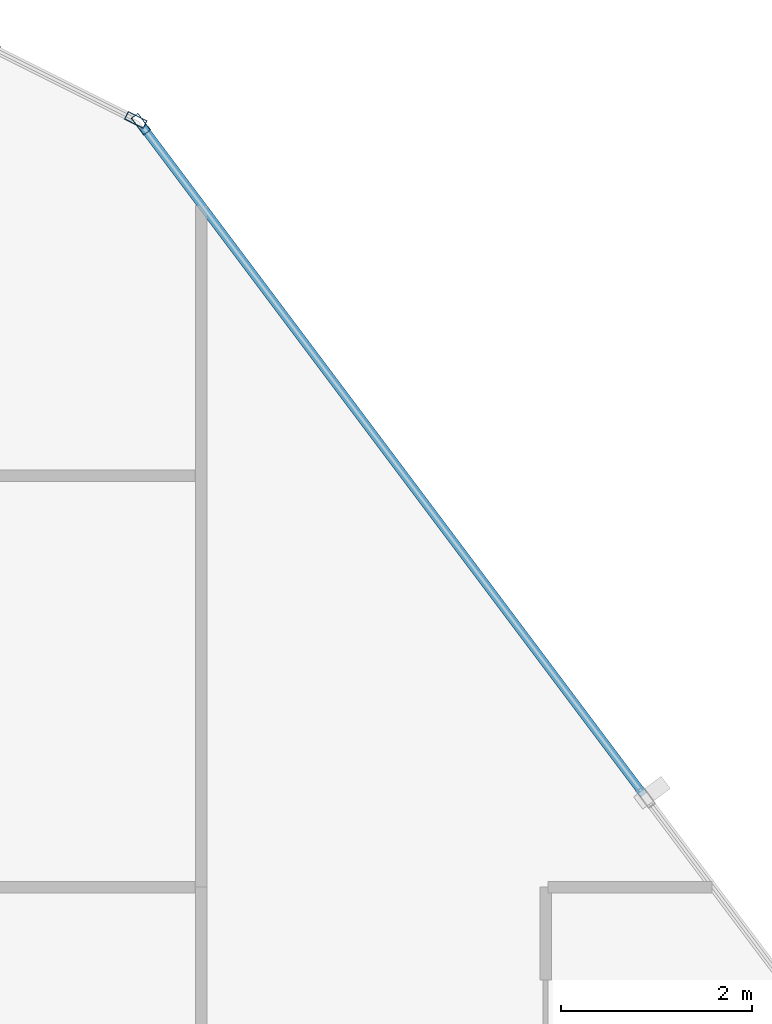
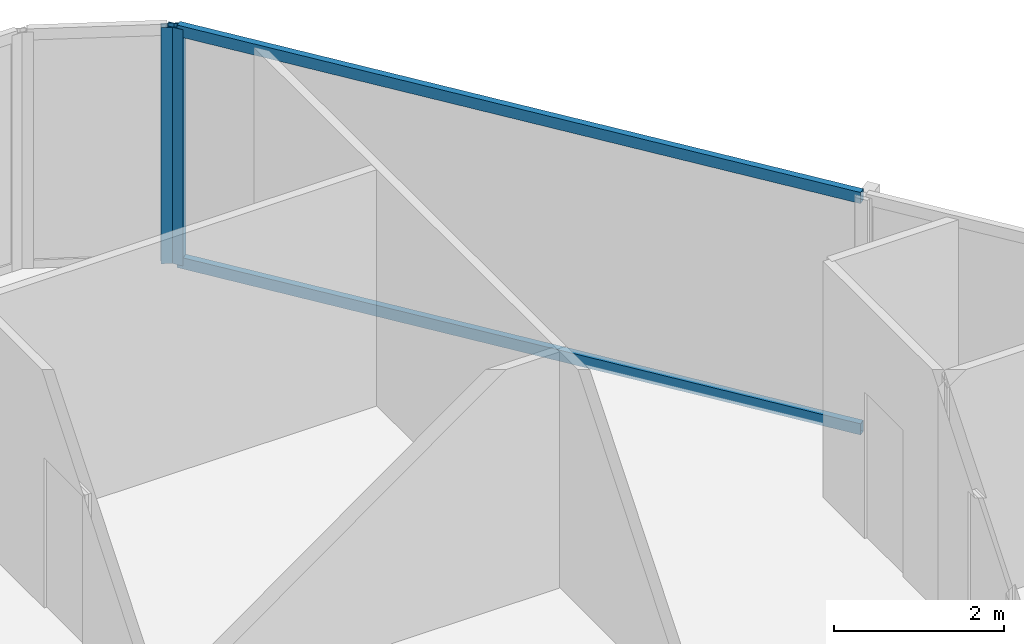
# One storey, part 17 of 34: 4 members, 2 elements without a shape of their own.
"""IFC4 building model written with IfcOpenShell, lengths in metres."""

from ifc_helpers import new_model, si_unit, direction, frame, origin, origin_2d, place, context, subcontext, project, spatial, hollow_rectangle, extrude, material, layer, layer_set, material_profile, profile_set, type_object, element, aggregate, save


model = new_model("IFC4")

# Units and contexts
model_context = context("Model", 3, precision=1e-05, world=origin(), true_north=direction((0.0, 1.0)))
body_context = subcontext(model_context, "Body", "Model", "MODEL_VIEW")
ifc_project = project(units=[si_unit("LENGTHUNIT", "METRE"), si_unit("AREAUNIT", "SQUARE_METRE"), si_unit("VOLUMEUNIT", "CUBIC_METRE"), si_unit("PLANEANGLEUNIT", "RADIAN"), si_unit("MASSUNIT", "GRAM", prefix="KILO")], contexts=[model_context])

# Site, building, storey
site_placement = place(None, origin())
site = spatial("IfcSite", under=ifc_project, at=site_placement, CompositionType="ELEMENT")
building_placement = place(site_placement, origin())
building = spatial("IfcBuilding", under=site, at=building_placement, Name="Keshet Zoharim Tower", CompositionType="ELEMENT")
storey_placement = place(building_placement, frame((0.0, 0.0, 46.199951171875)))
storey = spatial("IfcBuildingStorey", under=building, at=storey_placement, Name="L10", CompositionType="ELEMENT", Elevation=46.199951171875)

# Curtain wall, member
ifc_material = material(Name="Aluminium 6063-T6", Category="aluminium")
ifc_layer = layer(ifc_material, 0.169921875)
ifc_layer_set = layer_set([ifc_layer], Name="Aluminium 6063-T6")
curtain_wall_type = type_object("IfcCurtainWallType", Name="CW-SYS-02", PredefinedType="NOTDEFINED", material=ifc_layer_set)
curtain_wall_1_placement = place(storey_placement, origin())
curtain_wall_1 = element("IfcCurtainWall", 1, at=curtain_wall_1_placement, inside=storey, type_object=curtain_wall_type, Name="L10 Unitised Curtain Wall 08", PredefinedType="NOTDEFINED")
ifc_material_profile_1 = material_profile(ifc_material, hollow_rectangle(XDim=0.090087890625, YDim=0.219970703125, WallThickness=0.0048828125, at=origin_2d()), Name="MUL-90x220")
ifc_profile_set_1 = profile_set([ifc_material_profile_1], Name="Aluminium 6063-T6")
member_type_1 = type_object("IfcMemberType", Name="CWM-M22", PredefinedType="MULLION", material=ifc_profile_set_1)
member_1_placement = place(storey_placement, frame((51.568603515625, 53.11572265625, 0.0), z_axis=(0.0, 0.0, 1.0), x_axis=(0.447213595499, 0.894427191001, 0.0)))
member_1 = element("IfcMember", 2, at=member_1_placement, type_object=member_type_1, Name="CW-02 mullion 2", PredefinedType="MULLION", context=body_context, shape_type="SweptSolid", body=[
    extrude(hollow_rectangle(XDim=0.090087890625, YDim=0.219970703125, WallThickness=0.0048828125, at=origin_2d()), origin(), (0.0, 0.0, 1.0), 3.385009765625),
])
aggregate(curtain_wall_1, [member_1])

# Curtain wall, members
curtain_wall_2_placement = place(storey_placement, origin())
curtain_wall_2 = element("IfcCurtainWall", 3, at=curtain_wall_2_placement, inside=storey, type_object=curtain_wall_type, Name="L10 Unitised Curtain Wall 09", PredefinedType="NOTDEFINED")
member_2_placement = place(storey_placement, frame((51.62109375, 53.072021484375, 0.0), z_axis=(0.0, 0.0, 1.0), x_axis=(0.799999999998, 0.600000000002, 0.0)))
member_2 = element("IfcMember", 4, at=member_2_placement, type_object=member_type_1, Name="CW-02 mullion 1", PredefinedType="MULLION", context=body_context, shape_type="SweptSolid", body=[
    extrude(hollow_rectangle(XDim=0.090087890625, YDim=0.219970703125, WallThickness=0.0048828125, at=origin_2d()), origin(), (0.0, 0.0, 1.0), 3.385009765625),
])
ifc_material_profile_2 = material_profile(ifc_material, hollow_rectangle(XDim=0.0849609375, YDim=0.159912109375, WallThickness=0.00439453125, at=origin_2d()), Name="TRN-85x160")
ifc_profile_set_2 = profile_set([ifc_material_profile_2], Name="Aluminium 6063-T6")
member_type_2 = type_object("IfcMemberType", Name="CWT-T16", PredefinedType="USERDEFINED", material=ifc_profile_set_2)
member_3_placement = place(storey_placement, frame((51.64208984375, 53.0439453125, 0.03515625), z_axis=(0.599991043201, -0.800006717521, 0.0), x_axis=(0.800006717521, 0.599991043201, 0.0)))
member_3 = element("IfcMember", 5, at=member_3_placement, type_object=member_type_2, Name="CW-02 transom 1.1", ObjectType="TRANSOM", PredefinedType="USERDEFINED", context=body_context, shape_type="SweptSolid", body=[
    extrude(hollow_rectangle(XDim=0.0849609375, YDim=0.159912109375, WallThickness=0.00439453125, at=origin_2d()), origin(), (0.0, 0.0, 1.0), 8.722412109375),
])
member_4_placement = place(storey_placement, frame((51.64208984375, 53.0439453125, 3.35009765625), z_axis=(0.599991043201, -0.800006717521, 0.0), x_axis=(0.800006717521, 0.599991043201, 0.0)))
member_4 = element("IfcMember", 6, at=member_4_placement, type_object=member_type_2, Name="CW-02 transom 1.2", ObjectType="TRANSOM", PredefinedType="USERDEFINED", context=body_context, shape_type="SweptSolid", body=[
    extrude(hollow_rectangle(XDim=0.0849609375, YDim=0.159912109375, WallThickness=0.00439453125, at=origin_2d()), origin(), (0.0, 0.0, 1.0), 8.722412109375),
])
aggregate(curtain_wall_2, [member_2, member_3, member_4])

save(model, "model.ifc")
